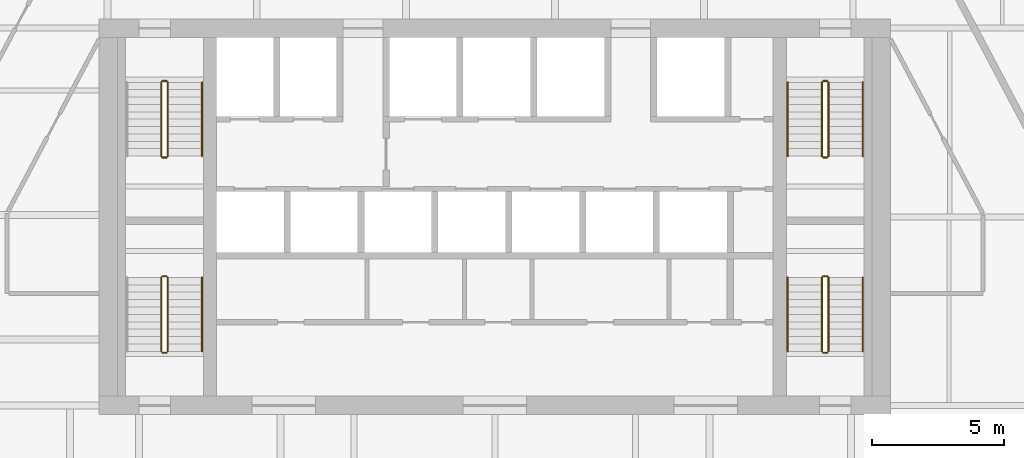
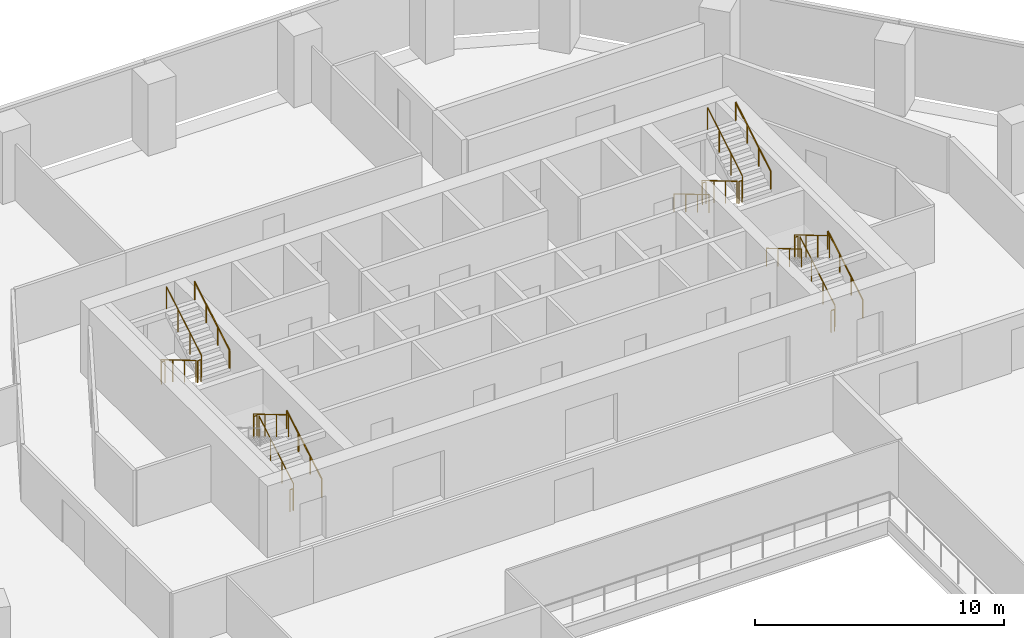
# One storey, part 15 of 16: 22 railings.
"""IFC4 building model written with IfcOpenShell, lengths in metres."""

import ifcopenshell
import ifcopenshell.guid

model = None  # the IFC model being written
_history = None  # IfcOwnerHistory: only IFC2X3 demands one
_inside = {}  # id of a spatial element -> (the spatial element, [elements in it])
_under = {}  # id of a project, library or spatial element -> (it, [spatial elements below it])
_declared = {}  # id of a project -> (the project, [libraries it declares])
_typed = {}  # id of a type object -> (the type object, [elements of that type])
_made_of = {}  # id of a material, layer set ... -> (it, [elements and type objects made of it])


def new_model(schema):
    """Start an empty IFC model of exactly this schema.

    Asked for "IFC4X3", IfcOpenShell would pick the latest addendum, in which some entities
    have other attributes; the version numbers below select the first issue.
    IFC2X3 requires an IfcOwnerHistory on every rooted entity: one is made here for all.
    """
    global model, _history
    if schema == "IFC4X3":
        model = ifcopenshell.file(schema_version=(4, 3, 0, 0))
    else:
        model = ifcopenshell.file(schema=schema)
    _inside.clear()
    _under.clear()
    _declared.clear()
    _typed.clear()
    _made_of.clear()
    _history = None
    if model.schema == "IFC2X3":
        org = make("IfcOrganization", Name="unknown")
        user = make(
            "IfcPersonAndOrganization",
            ThePerson=make("IfcPerson", FamilyName="unknown"),
            TheOrganization=org,
        )
        app = make(
            "IfcApplication",
            ApplicationDeveloper=org,
            Version="unknown",
            ApplicationFullName="unknown",
            ApplicationIdentifier="unknown",
        )
        _history = make(
            "IfcOwnerHistory",
            OwningUser=user,
            OwningApplication=app,
            ChangeAction="ADDED",
            CreationDate=0,
        )
    return model


def make(cls, **values):
    """One entity of the class cls with the attributes given. An attribute that is None is left unset."""
    return model.create_entity(
        cls, **{name: value for name, value in values.items() if value is not None}
    )


def rooted(cls, **values):
    """An entity with a GlobalId (a new one), such as an element, a storey or a relation."""
    return make(cls, GlobalId=ifcopenshell.guid.new(), OwnerHistory=_history, **values)


def si_unit(unit_type, name, prefix=None):
    """IfcSIUnit, for example si_unit("LENGTHUNIT", "METRE", prefix="MILLI")."""
    return make("IfcSIUnit", UnitType=unit_type, Prefix=prefix, Name=name)


def assignment(units):
    """IfcUnitAssignment: the units of a project."""
    return None if units is None else make("IfcUnitAssignment", Units=units)


def point(xyz):
    """IfcCartesianPoint."""
    return None if xyz is None else make("IfcCartesianPoint", Coordinates=xyz)


def direction(xyz):
    """IfcDirection."""
    return None if xyz is None else make("IfcDirection", DirectionRatios=xyz)


def frame(location, z_axis=None, x_axis=None):
    """IfcAxis2Placement3D, a coordinate frame: its origin and axes. An axis left out is left unset."""
    return make(
        "IfcAxis2Placement3D",
        Location=point(location),
        Axis=direction(z_axis),
        RefDirection=direction(x_axis),
    )


def frame_2d(location, x_axis=None):
    """IfcAxis2Placement2D, a coordinate frame in the plane: its origin and x axis."""
    return make(
        "IfcAxis2Placement2D", Location=point(location), RefDirection=direction(x_axis)
    )


def origin():
    """The frame at (0, 0, 0) with its axes left unset."""
    return frame((0.0, 0.0, 0.0))


def origin_2d():
    """The frame at (0, 0) in the plane with its x axis left unset."""
    return frame_2d((0.0, 0.0))


def place(relative_to, where):
    """IfcLocalPlacement: puts the frame where relative to a parent placement (None: the world)."""
    return make(
        "IfcLocalPlacement", PlacementRelTo=relative_to, RelativePlacement=where
    )


def context(
    kind, dimensions, precision=None, world=None, true_north=None, identifier=None
):
    """IfcGeometricRepresentationContext, for example the 3D "Model" context."""
    return make(
        "IfcGeometricRepresentationContext",
        ContextIdentifier=identifier,
        ContextType=kind,
        CoordinateSpaceDimension=dimensions,
        Precision=precision,
        WorldCoordinateSystem=world,
        TrueNorth=true_north,
    )


def subcontext(parent, identifier, kind, view, scale=None):
    """IfcGeometricRepresentationSubContext, for example "Body" below "Model"."""
    return make(
        "IfcGeometricRepresentationSubContext",
        ContextIdentifier=identifier,
        ContextType=kind,
        ParentContext=parent,
        TargetScale=scale,
        TargetView=view,
    )


def project(units=None, contexts=None):
    """IfcProject with its units and contexts."""
    return rooted(
        "IfcProject",
        Name="project",
        RepresentationContexts=contexts,
        UnitsInContext=assignment(units),
    )


def spatial(cls, under=None, at=None, **own):
    """A site, building, storey or space (cls), placed at a placement, below another one or the project."""
    s = rooted(cls, ObjectPlacement=at, **own)
    if under is not None:
        _under.setdefault(under.id(), (under, []))[1].append(s)
    return s


def profile(cls, at=None, kind="AREA", **sizes):
    """A parametric profile (cls). Its sizes go by their IFC names, for example OverallWidth=200.0."""
    return make(cls, ProfileType=kind, Position=at, **sizes)


def circle(**sizes):
    """IfcCircleProfileDef."""
    return profile("IfcCircleProfileDef", **sizes)


def extrude(swept, where, along, depth):
    """IfcExtrudedAreaSolid: the profile swept, set in the frame where, extruded along a direction by depth."""
    return make(
        "IfcExtrudedAreaSolid",
        SweptArea=swept,
        Position=where,
        ExtrudedDirection=direction(along),
        Depth=depth,
    )


def shape(context_of_items, identifier, shape_type, items):
    """IfcShapeRepresentation: the items that make up one representation, for example the "Body"."""
    return make(
        "IfcShapeRepresentation",
        ContextOfItems=context_of_items,
        RepresentationIdentifier=identifier,
        RepresentationType=shape_type,
        Items=items,
    )


def material(Name=None, Category=None):
    """IfcMaterial."""
    return make("IfcMaterial", Name=Name, Category=Category)


def made_of(thing, what):
    """Note that an element or type object is made of a material, layer set ...; save() writes the relation."""
    if what is not None:
        _made_of.setdefault(what.id(), (what, []))[1].append(thing)
    return thing


def type_object(cls, material=None, **own):
    """A type object (cls), such as IfcWallType, which elements share."""
    return made_of(rooted(cls, **own), material)


def element(
    cls,
    number,
    at=None,
    inside=None,
    cuts=None,
    type_object=None,
    material=None,
    context=None,
    identifier="Body",
    shape_type=None,
    held_by="IfcProductDefinitionShape",
    body=None,
    shapes=None,
    **own,
):
    """One element of the class cls, such as IfcWall. Its Tag is "e" and its number.

    at: its placement. inside: the storey or other place that contains it. cuts: it is an
    opening in that element (IfcRelVoidsElement). A single representation is given by context,
    identifier, shape_type and body (its items); several are given by shapes. held_by: the class
    of the entity that holds the representations. save() writes the other relations.
    """
    e = rooted(cls, Tag="e%d" % number, ObjectPlacement=at, **own)
    if body is not None:
        shapes = [shape(context, identifier, shape_type, body)]
    if shapes is not None:
        e.Representation = make(held_by, Representations=shapes)
    if inside is not None:
        _inside.setdefault(inside.id(), (inside, []))[1].append(e)
    if cuts is not None:
        rooted(
            "IfcRelVoidsElement", RelatingBuildingElement=cuts, RelatedOpeningElement=e
        )
    if type_object is not None:
        _typed.setdefault(type_object.id(), (type_object, []))[1].append(e)
    return made_of(e, material)


def aggregate(whole, parts):
    """IfcRelAggregates: a whole, such as a stair, and the parts it consists of."""
    return rooted("IfcRelAggregates", RelatingObject=whole, RelatedObjects=parts)


def save(model, path):
    """Write the relations noted so far, then the file.

    IfcRelAggregates (storeys below a building ...), IfcRelContainedInSpatialStructure (elements
    in a storey), IfcRelDefinesByType, IfcRelAssociatesMaterial and IfcRelDeclares: one each for
    every whole, place, type object, material and project.
    """
    for whole, parts in _under.values():
        aggregate(whole, parts)
    for where, things in _inside.values():
        rooted(
            "IfcRelContainedInSpatialStructure",
            RelatedElements=things,
            RelatingStructure=where,
        )
    for kind, things in _typed.values():
        rooted("IfcRelDefinesByType", RelatedObjects=things, RelatingType=kind)
    for what, things in _made_of.values():
        rooted("IfcRelAssociatesMaterial", RelatedObjects=things, RelatingMaterial=what)
    for by, libraries in _declared.values():
        rooted("IfcRelDeclares", RelatingContext=by, RelatedDefinitions=libraries)
    model.write(path)


model = new_model("IFC4")

# Units and contexts
model_context = context("Model", 3, precision=1e-05, world=origin(), true_north=direction((0.0, 1.0)))
body_context = subcontext(model_context, "Body", "Model", "MODEL_VIEW")
ifc_project = project(units=[si_unit("LENGTHUNIT", "METRE"), si_unit("AREAUNIT", "SQUARE_METRE"), si_unit("VOLUMEUNIT", "CUBIC_METRE"), si_unit("PLANEANGLEUNIT", "RADIAN"), si_unit("MASSUNIT", "GRAM", prefix="KILO")], contexts=[model_context])

# Site, building, storey
site_placement = place(None, origin())
site = spatial("IfcSite", under=ifc_project, at=site_placement, CompositionType="ELEMENT")
building_placement = place(site_placement, origin())
building = spatial("IfcBuilding", under=site, at=building_placement, Name="Isthmus Gate Tower", CompositionType="ELEMENT")
storey_placement = place(building_placement, frame((0.0, 0.0, 178.10009765625)))
storey = spatial("IfcBuildingStorey", under=building, at=storey_placement, Name="L44", CompositionType="ELEMENT", Elevation=178.10009765625)

# Railings
ifc_material_1 = material(Name="Stainless steel balustrade", Category="steel")
railing_type_1 = type_object("IfcRailingType", Name="STAIR GUARD 1100", PredefinedType="GUARDRAIL", material=ifc_material_1)
railing_1_placement = place(storey_placement, frame((-12.64990234375, 12.60009765625, 0.165771484375)))
element("IfcRailing", 1, at=railing_1_placement, inside=storey, type_object=railing_type_1, Name="L44 ST1 stair guard 1", PredefinedType="GUARDRAIL", context=body_context, shape_type="SweptSolid", body=[
    extrude(circle(Radius=0.02392578125, at=origin_2d()), frame((0.0, 0.0, 1.076171875), z_axis=(0.0, -0.860306154799, 0.50977771628), x_axis=(1.0, 0.0, 0.0)), (0.0, 0.0, 1.0), 3.254638671875),
    extrude(circle(Radius=0.02099609375, at=origin_2d()), origin(), (0.0, 0.0, 1.0), 1.052001953125),
    extrude(circle(Radius=0.02099609375, at=origin_2d()), frame((0.0, -0.933349609375, 0.552978515625)), (0.0, 0.0, 1.0), 1.052001953125),
    extrude(circle(Radius=0.02099609375, at=origin_2d()), frame((0.0, -1.86669921875, 1.106201171875)), (0.0, 0.0, 1.0), 1.052001953125),
    extrude(circle(Radius=0.02099609375, at=origin_2d()), frame((0.0, -2.800048828125, 1.6591796875)), (0.0, 0.0, 1.0), 1.052001953125),
])
railing_2_placement = place(storey_placement, frame((-12.60009765625, 9.75, 1.824951171875)))
element("IfcRailing", 2, at=railing_2_placement, inside=storey, type_object=railing_type_1, Name="L44 ST1 stair guard 2", PredefinedType="GUARDRAIL", context=body_context, shape_type="SweptSolid", body=[
    extrude(circle(Radius=0.02392578125, at=origin_2d()), frame((0.0, 0.0, 1.076171875), z_axis=(1.0, 0.0, 0.0), x_axis=(0.0, 1.0, 0.0)), (0.0, 0.0, 1.0), 0.150146484375),
    extrude(circle(Radius=0.02099609375, at=origin_2d()), origin(), (0.0, 0.0, 1.0), 1.052001953125),
    extrude(circle(Radius=0.02099609375, at=origin_2d()), frame((0.150146484375, 0.0, 0.0)), (0.0, 0.0, 1.0), 1.052001953125),
])
railing_3_placement = place(storey_placement, frame((-12.39990234375, 9.800048828125, 1.99072265625)))
element("IfcRailing", 3, at=railing_3_placement, inside=storey, type_object=railing_type_1, Name="L44 ST1 stair guard 3", PredefinedType="GUARDRAIL", context=body_context, shape_type="SweptSolid", body=[
    extrude(circle(Radius=0.02392578125, at=origin_2d()), frame((0.0, 0.0, 1.076171875), z_axis=(0.0, 0.860306154799, 0.50977771628), x_axis=(-1.0, 0.0, 0.0)), (0.0, 0.0, 1.0), 3.254638671875),
    extrude(circle(Radius=0.02099609375, at=origin_2d()), origin(), (0.0, 0.0, 1.0), 1.052001953125),
    extrude(circle(Radius=0.02099609375, at=origin_2d()), frame((0.0, 0.933349609375, 0.552978515625)), (0.0, 0.0, 1.0), 1.052001953125),
    extrude(circle(Radius=0.02099609375, at=origin_2d()), frame((0.0, 1.86669921875, 1.106201171875)), (0.0, 0.0, 1.0), 1.052001953125),
    extrude(circle(Radius=0.02099609375, at=origin_2d()), frame((0.0, 2.800048828125, 1.6591796875)), (0.0, 0.0, 1.0), 1.052001953125),
])
railing_4_placement = place(storey_placement, frame((-12.60009765625, 12.64990234375, 0.0)))
element("IfcRailing", 4, at=railing_4_placement, inside=storey, type_object=railing_type_1, Name="L44 ST1 stair guard 4", PredefinedType="GUARDRAIL", context=body_context, shape_type="SweptSolid", body=[
    extrude(circle(Radius=0.02392578125, at=origin_2d()), frame((0.0, 0.0, 1.076171875), z_axis=(1.0, 0.0, 0.0), x_axis=(0.0, 1.0, 0.0)), (0.0, 0.0, 1.0), 0.150146484375),
    extrude(circle(Radius=0.02099609375, at=origin_2d()), origin(), (0.0, 0.0, 1.0), 1.052001953125),
    extrude(circle(Radius=0.02099609375, at=origin_2d()), frame((0.150146484375, 0.0, 0.0)), (0.0, 0.0, 1.0), 1.052001953125),
])
railing_5_placement = place(storey_placement, frame((12.39990234375, 12.60009765625, 0.165771484375)))
element("IfcRailing", 5, at=railing_5_placement, inside=storey, type_object=railing_type_1, Name="L44 ST2 stair guard 1", PredefinedType="GUARDRAIL", context=body_context, shape_type="SweptSolid", body=[
    extrude(circle(Radius=0.02392578125, at=origin_2d()), frame((0.0, 0.0, 1.076171875), z_axis=(0.0, -0.860306154799, 0.50977771628), x_axis=(1.0, 0.0, 0.0)), (0.0, 0.0, 1.0), 3.254638671875),
    extrude(circle(Radius=0.02099609375, at=origin_2d()), origin(), (0.0, 0.0, 1.0), 1.052001953125),
    extrude(circle(Radius=0.02099609375, at=origin_2d()), frame((0.0, -0.933349609375, 0.552978515625)), (0.0, 0.0, 1.0), 1.052001953125),
    extrude(circle(Radius=0.02099609375, at=origin_2d()), frame((0.0, -1.86669921875, 1.106201171875)), (0.0, 0.0, 1.0), 1.052001953125),
    extrude(circle(Radius=0.02099609375, at=origin_2d()), frame((0.0, -2.800048828125, 1.6591796875)), (0.0, 0.0, 1.0), 1.052001953125),
])
railing_6_placement = place(storey_placement, frame((12.449951171875, 9.75, 1.824951171875)))
element("IfcRailing", 6, at=railing_6_placement, inside=storey, type_object=railing_type_1, Name="L44 ST2 stair guard 2", PredefinedType="GUARDRAIL", context=body_context, shape_type="SweptSolid", body=[
    extrude(circle(Radius=0.02392578125, at=origin_2d()), frame((0.0, 0.0, 1.076171875), z_axis=(1.0, 0.0, 0.0), x_axis=(0.0, 1.0, 0.0)), (0.0, 0.0, 1.0), 0.150146484375),
    extrude(circle(Radius=0.02099609375, at=origin_2d()), origin(), (0.0, 0.0, 1.0), 1.052001953125),
    extrude(circle(Radius=0.02099609375, at=origin_2d()), frame((0.150146484375, 0.0, 0.0)), (0.0, 0.0, 1.0), 1.052001953125),
])
railing_7_placement = place(storey_placement, frame((12.64990234375, 9.800048828125, 1.99072265625)))
element("IfcRailing", 7, at=railing_7_placement, inside=storey, type_object=railing_type_1, Name="L44 ST2 stair guard 3", PredefinedType="GUARDRAIL", context=body_context, shape_type="SweptSolid", body=[
    extrude(circle(Radius=0.02392578125, at=origin_2d()), frame((0.0, 0.0, 1.076171875), z_axis=(0.0, 0.860306154799, 0.50977771628), x_axis=(-1.0, 0.0, 0.0)), (0.0, 0.0, 1.0), 3.254638671875),
    extrude(circle(Radius=0.02099609375, at=origin_2d()), origin(), (0.0, 0.0, 1.0), 1.052001953125),
    extrude(circle(Radius=0.02099609375, at=origin_2d()), frame((0.0, 0.933349609375, 0.552978515625)), (0.0, 0.0, 1.0), 1.052001953125),
    extrude(circle(Radius=0.02099609375, at=origin_2d()), frame((0.0, 1.86669921875, 1.106201171875)), (0.0, 0.0, 1.0), 1.052001953125),
    extrude(circle(Radius=0.02099609375, at=origin_2d()), frame((0.0, 2.800048828125, 1.6591796875)), (0.0, 0.0, 1.0), 1.052001953125),
])
railing_8_placement = place(storey_placement, frame((12.449951171875, 12.64990234375, 0.0)))
element("IfcRailing", 8, at=railing_8_placement, inside=storey, type_object=railing_type_1, Name="L44 ST2 stair guard 4", PredefinedType="GUARDRAIL", context=body_context, shape_type="SweptSolid", body=[
    extrude(circle(Radius=0.02392578125, at=origin_2d()), frame((0.0, 0.0, 1.076171875), z_axis=(1.0, 0.0, 0.0), x_axis=(0.0, 1.0, 0.0)), (0.0, 0.0, 1.0), 0.150146484375),
    extrude(circle(Radius=0.02099609375, at=origin_2d()), origin(), (0.0, 0.0, 1.0), 1.052001953125),
    extrude(circle(Radius=0.02099609375, at=origin_2d()), frame((0.150146484375, 0.0, 0.0)), (0.0, 0.0, 1.0), 1.052001953125),
])
railing_9_placement = place(storey_placement, frame((-12.39990234375, 2.39990234375, 0.165771484375)))
element("IfcRailing", 9, at=railing_9_placement, inside=storey, type_object=railing_type_1, Name="L44 ST7 stair guard 1", PredefinedType="GUARDRAIL", context=body_context, shape_type="SweptSolid", body=[
    extrude(circle(Radius=0.02392578125, at=origin_2d()), frame((0.0, 0.0, 1.076171875), z_axis=(0.0, 0.860306154799, 0.50977771628), x_axis=(-1.0, 0.0, 0.0)), (0.0, 0.0, 1.0), 3.254638671875),
    extrude(circle(Radius=0.02099609375, at=origin_2d()), origin(), (0.0, 0.0, 1.0), 1.052001953125),
    extrude(circle(Radius=0.02099609375, at=origin_2d()), frame((0.0, 0.933349609375, 0.552978515625)), (0.0, 0.0, 1.0), 1.052001953125),
    extrude(circle(Radius=0.02099609375, at=origin_2d()), frame((0.0, 1.86669921875, 1.106201171875)), (0.0, 0.0, 1.0), 1.052001953125),
    extrude(circle(Radius=0.02099609375, at=origin_2d()), frame((0.0, 2.800048828125, 1.6591796875)), (0.0, 0.0, 1.0), 1.052001953125),
])
railing_10_placement = place(storey_placement, frame((-12.449951171875, 5.25, 1.824951171875)))
element("IfcRailing", 10, at=railing_10_placement, inside=storey, type_object=railing_type_1, Name="L44 ST7 stair guard 2", PredefinedType="GUARDRAIL", context=body_context, shape_type="SweptSolid", body=[
    extrude(circle(Radius=0.02392578125, at=origin_2d()), frame((0.0, 0.0, 1.076171875), z_axis=(-1.0, 0.0, 0.0), x_axis=(0.0, -1.0, 0.0)), (0.0, 0.0, 1.0), 0.150146484375),
    extrude(circle(Radius=0.02099609375, at=origin_2d()), origin(), (0.0, 0.0, 1.0), 1.052001953125),
    extrude(circle(Radius=0.02099609375, at=origin_2d()), frame((-0.150146484375, 0.0, 0.0)), (0.0, 0.0, 1.0), 1.052001953125),
])
railing_11_placement = place(storey_placement, frame((-12.64990234375, 5.199951171875, 1.99072265625)))
element("IfcRailing", 11, at=railing_11_placement, inside=storey, type_object=railing_type_1, Name="L44 ST7 stair guard 3", PredefinedType="GUARDRAIL", context=body_context, shape_type="SweptSolid", body=[
    extrude(circle(Radius=0.02392578125, at=origin_2d()), frame((0.0, 0.0, 1.076171875), z_axis=(0.0, -0.860306154799, 0.50977771628), x_axis=(1.0, 0.0, 0.0)), (0.0, 0.0, 1.0), 3.254638671875),
    extrude(circle(Radius=0.02099609375, at=origin_2d()), origin(), (0.0, 0.0, 1.0), 1.052001953125),
    extrude(circle(Radius=0.02099609375, at=origin_2d()), frame((0.0, -0.933349609375, 0.552978515625)), (0.0, 0.0, 1.0), 1.052001953125),
    extrude(circle(Radius=0.02099609375, at=origin_2d()), frame((0.0, -1.86669921875, 1.106201171875)), (0.0, 0.0, 1.0), 1.052001953125),
    extrude(circle(Radius=0.02099609375, at=origin_2d()), frame((0.0, -2.800048828125, 1.6591796875)), (0.0, 0.0, 1.0), 1.052001953125),
])
railing_12_placement = place(storey_placement, frame((-12.449951171875, 2.35009765625, 0.0)))
element("IfcRailing", 12, at=railing_12_placement, inside=storey, type_object=railing_type_1, Name="L44 ST7 stair guard 4", PredefinedType="GUARDRAIL", context=body_context, shape_type="SweptSolid", body=[
    extrude(circle(Radius=0.02392578125, at=origin_2d()), frame((0.0, 0.0, 1.076171875), z_axis=(-1.0, 0.0, 0.0), x_axis=(0.0, -1.0, 0.0)), (0.0, 0.0, 1.0), 0.150146484375),
    extrude(circle(Radius=0.02099609375, at=origin_2d()), origin(), (0.0, 0.0, 1.0), 1.052001953125),
    extrude(circle(Radius=0.02099609375, at=origin_2d()), frame((-0.150146484375, 0.0, 0.0)), (0.0, 0.0, 1.0), 1.052001953125),
])
railing_13_placement = place(storey_placement, frame((12.64990234375, 2.39990234375, 0.165771484375)))
element("IfcRailing", 13, at=railing_13_placement, inside=storey, type_object=railing_type_1, Name="L44 ST8 stair guard 1", PredefinedType="GUARDRAIL", context=body_context, shape_type="SweptSolid", body=[
    extrude(circle(Radius=0.02392578125, at=origin_2d()), frame((0.0, 0.0, 1.076171875), z_axis=(0.0, 0.860306154799, 0.50977771628), x_axis=(-1.0, 0.0, 0.0)), (0.0, 0.0, 1.0), 3.254638671875),
    extrude(circle(Radius=0.02099609375, at=origin_2d()), origin(), (0.0, 0.0, 1.0), 1.052001953125),
    extrude(circle(Radius=0.02099609375, at=origin_2d()), frame((0.0, 0.933349609375, 0.552978515625)), (0.0, 0.0, 1.0), 1.052001953125),
    extrude(circle(Radius=0.02099609375, at=origin_2d()), frame((0.0, 1.86669921875, 1.106201171875)), (0.0, 0.0, 1.0), 1.052001953125),
    extrude(circle(Radius=0.02099609375, at=origin_2d()), frame((0.0, 2.800048828125, 1.6591796875)), (0.0, 0.0, 1.0), 1.052001953125),
])
railing_14_placement = place(storey_placement, frame((12.60009765625, 5.25, 1.824951171875)))
element("IfcRailing", 14, at=railing_14_placement, inside=storey, type_object=railing_type_1, Name="L44 ST8 stair guard 2", PredefinedType="GUARDRAIL", context=body_context, shape_type="SweptSolid", body=[
    extrude(circle(Radius=0.02392578125, at=origin_2d()), frame((0.0, 0.0, 1.076171875), z_axis=(-1.0, 0.0, 0.0), x_axis=(0.0, -1.0, 0.0)), (0.0, 0.0, 1.0), 0.150146484375),
    extrude(circle(Radius=0.02099609375, at=origin_2d()), origin(), (0.0, 0.0, 1.0), 1.052001953125),
    extrude(circle(Radius=0.02099609375, at=origin_2d()), frame((-0.150146484375, 0.0, 0.0)), (0.0, 0.0, 1.0), 1.052001953125),
])
railing_15_placement = place(storey_placement, frame((12.39990234375, 5.199951171875, 1.99072265625)))
element("IfcRailing", 15, at=railing_15_placement, inside=storey, type_object=railing_type_1, Name="L44 ST8 stair guard 3", PredefinedType="GUARDRAIL", context=body_context, shape_type="SweptSolid", body=[
    extrude(circle(Radius=0.02392578125, at=origin_2d()), frame((0.0, 0.0, 1.076171875), z_axis=(0.0, -0.860306154799, 0.50977771628), x_axis=(1.0, 0.0, 0.0)), (0.0, 0.0, 1.0), 3.254638671875),
    extrude(circle(Radius=0.02099609375, at=origin_2d()), origin(), (0.0, 0.0, 1.0), 1.052001953125),
    extrude(circle(Radius=0.02099609375, at=origin_2d()), frame((0.0, -0.933349609375, 0.552978515625)), (0.0, 0.0, 1.0), 1.052001953125),
    extrude(circle(Radius=0.02099609375, at=origin_2d()), frame((0.0, -1.86669921875, 1.106201171875)), (0.0, 0.0, 1.0), 1.052001953125),
    extrude(circle(Radius=0.02099609375, at=origin_2d()), frame((0.0, -2.800048828125, 1.6591796875)), (0.0, 0.0, 1.0), 1.052001953125),
])
railing_16_placement = place(storey_placement, frame((12.60009765625, 2.35009765625, 0.0)))
element("IfcRailing", 16, at=railing_16_placement, inside=storey, type_object=railing_type_1, Name="L44 ST8 stair guard 4", PredefinedType="GUARDRAIL", context=body_context, shape_type="SweptSolid", body=[
    extrude(circle(Radius=0.02392578125, at=origin_2d()), frame((0.0, 0.0, 1.076171875), z_axis=(-1.0, 0.0, 0.0), x_axis=(0.0, -1.0, 0.0)), (0.0, 0.0, 1.0), 0.150146484375),
    extrude(circle(Radius=0.02099609375, at=origin_2d()), origin(), (0.0, 0.0, 1.0), 1.052001953125),
    extrude(circle(Radius=0.02099609375, at=origin_2d()), frame((-0.150146484375, 0.0, 0.0)), (0.0, 0.0, 1.0), 1.052001953125),
])
ifc_material_2 = material(Name="Stainless steel handrail", Category="steel")
railing_type_2 = type_object("IfcRailingType", Name="STAIR HANDRAIL 900", PredefinedType="HANDRAIL", material=ifc_material_2)
railing_17_placement = place(storey_placement, frame((-11.10009765625, 9.800048828125, 1.99072265625)))
element("IfcRailing", 17, at=railing_17_placement, inside=storey, type_object=railing_type_2, Name="L44 ST1 stair handrail 2", PredefinedType="HANDRAIL", context=body_context, shape_type="SweptSolid", body=[
    extrude(circle(Radius=0.02392578125, at=origin_2d()), frame((0.0, 0.0, 0.8759765625), z_axis=(0.0, 0.860306154799, 0.50977771628), x_axis=(-1.0, 0.0, 0.0)), (0.0, 0.0, 1.0), 3.254638671875),
    extrude(circle(Radius=0.02099609375, at=origin_2d()), origin(), (0.0, 0.0, 1.0), 0.851806640625),
    extrude(circle(Radius=0.02099609375, at=origin_2d()), frame((0.0, 0.933349609375, 0.552978515625)), (0.0, 0.0, 1.0), 0.851806640625),
    extrude(circle(Radius=0.02099609375, at=origin_2d()), frame((0.0, 1.86669921875, 1.106201171875)), (0.0, 0.0, 1.0), 0.851806640625),
    extrude(circle(Radius=0.02099609375, at=origin_2d()), frame((0.0, 2.800048828125, 1.6591796875)), (0.0, 0.0, 1.0), 0.851806640625),
])
railing_18_placement = place(storey_placement, frame((11.10009765625, 12.60009765625, 0.165771484375)))
element("IfcRailing", 18, at=railing_18_placement, inside=storey, type_object=railing_type_2, Name="L44 ST2 stair handrail 1", PredefinedType="HANDRAIL", context=body_context, shape_type="SweptSolid", body=[
    extrude(circle(Radius=0.02392578125, at=origin_2d()), frame((0.0, 0.0, 0.8759765625), z_axis=(0.0, -0.860306154799, 0.50977771628), x_axis=(1.0, 0.0, 0.0)), (0.0, 0.0, 1.0), 3.254638671875),
    extrude(circle(Radius=0.02099609375, at=origin_2d()), origin(), (0.0, 0.0, 1.0), 0.851806640625),
    extrude(circle(Radius=0.02099609375, at=origin_2d()), frame((0.0, -0.933349609375, 0.552978515625)), (0.0, 0.0, 1.0), 0.851806640625),
    extrude(circle(Radius=0.02099609375, at=origin_2d()), frame((0.0, -1.86669921875, 1.106201171875)), (0.0, 0.0, 1.0), 0.851806640625),
    extrude(circle(Radius=0.02099609375, at=origin_2d()), frame((0.0, -2.800048828125, 1.6591796875)), (0.0, 0.0, 1.0), 0.851806640625),
])
for number, where, name in (
    (19, (13.949951171875, 9.800048828125, 1.99072265625), "L44 ST2 stair handrail 2"),
    (20, (-11.10009765625, 2.39990234375, 0.165771484375), "L44 ST7 stair handrail 1"),
    (21, (13.949951171875, 2.39990234375, 0.165771484375), "L44 ST8 stair handrail 1"),
):
    element("IfcRailing", number, at=place(storey_placement, frame(where)), inside=storey, type_object=railing_type_2, Name=name, PredefinedType="HANDRAIL", context=body_context, shape_type="SweptSolid", body=[
        extrude(circle(Radius=0.02392578125, at=origin_2d()), frame((0.0, 0.0, 0.8759765625), z_axis=(0.0, 0.860306154799, 0.50977771628), x_axis=(-1.0, 0.0, 0.0)), (0.0, 0.0, 1.0), 3.254638671875),
        extrude(circle(Radius=0.02099609375, at=origin_2d()), origin(), (0.0, 0.0, 1.0), 0.851806640625),
        extrude(circle(Radius=0.02099609375, at=origin_2d()), frame((0.0, 0.933349609375, 0.552978515625)), (0.0, 0.0, 1.0), 0.851806640625),
        extrude(circle(Radius=0.02099609375, at=origin_2d()), frame((0.0, 1.86669921875, 1.106201171875)), (0.0, 0.0, 1.0), 0.851806640625),
        extrude(circle(Radius=0.02099609375, at=origin_2d()), frame((0.0, 2.800048828125, 1.6591796875)), (0.0, 0.0, 1.0), 0.851806640625),
    ])
railing_19_placement = place(storey_placement, frame((11.10009765625, 5.199951171875, 1.99072265625)))
element("IfcRailing", 22, at=railing_19_placement, inside=storey, type_object=railing_type_2, Name="L44 ST8 stair handrail 2", PredefinedType="HANDRAIL", context=body_context, shape_type="SweptSolid", body=[
    extrude(circle(Radius=0.02392578125, at=origin_2d()), frame((0.0, 0.0, 0.8759765625), z_axis=(0.0, -0.860306154799, 0.50977771628), x_axis=(1.0, 0.0, 0.0)), (0.0, 0.0, 1.0), 3.254638671875),
    extrude(circle(Radius=0.02099609375, at=origin_2d()), origin(), (0.0, 0.0, 1.0), 0.851806640625),
    extrude(circle(Radius=0.02099609375, at=origin_2d()), frame((0.0, -0.933349609375, 0.552978515625)), (0.0, 0.0, 1.0), 0.851806640625),
    extrude(circle(Radius=0.02099609375, at=origin_2d()), frame((0.0, -1.86669921875, 1.106201171875)), (0.0, 0.0, 1.0), 0.851806640625),
    extrude(circle(Radius=0.02099609375, at=origin_2d()), frame((0.0, -2.800048828125, 1.6591796875)), (0.0, 0.0, 1.0), 0.851806640625),
])

save(model, "model.ifc")
